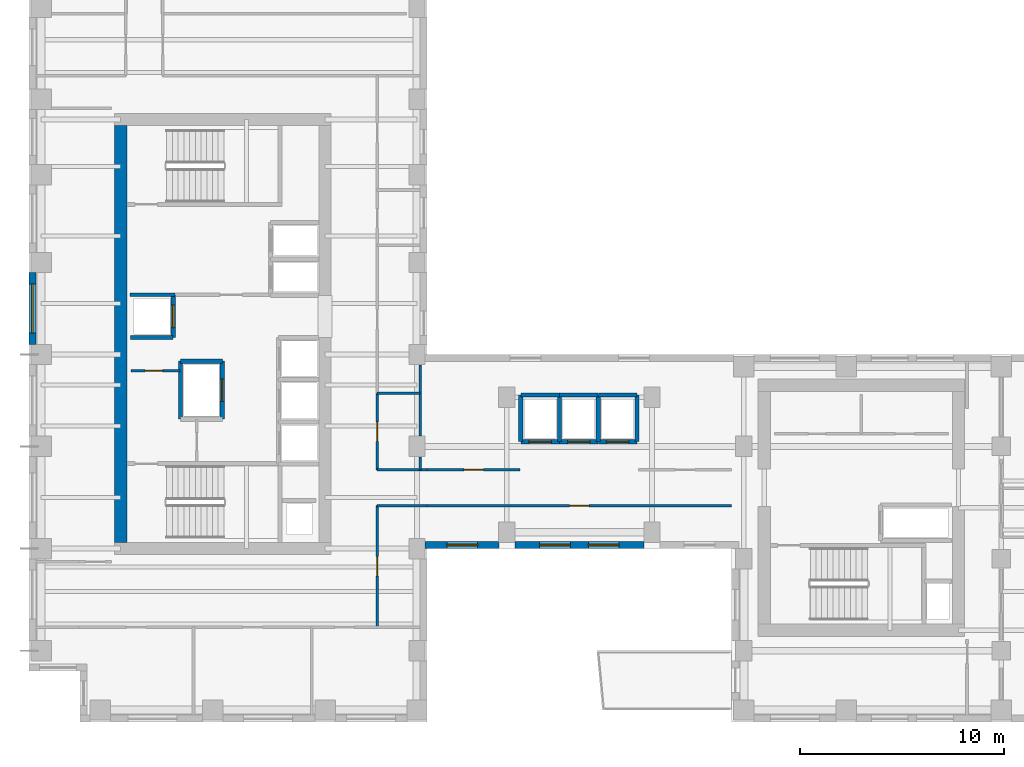
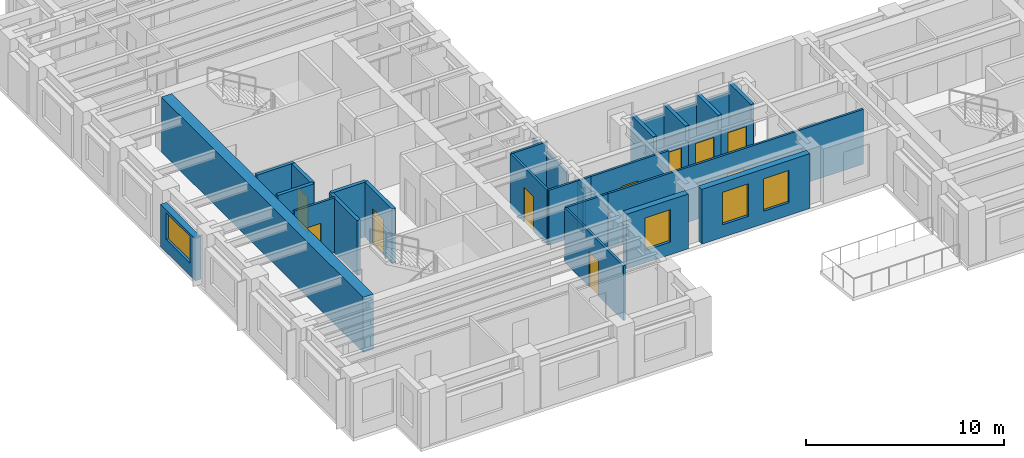
# One storey, part 4 of 11: 30 walls, 10 doors, 4 windows, 14 openings.
"""IFC4 building model written with IfcOpenShell, lengths in metres."""

from ifc_helpers import new_model, si_unit, direction, frame, frame_2d, origin, place, context, subcontext, project, spatial, rectangle, extrude, source, transform, mapped, material, layer, layer_set, type_object, element, fill, save


model = new_model("IFC4")

# Units and contexts
model_context = context("Model", 3, precision=1e-05, world=origin(), true_north=direction((0.0, 1.0)))
body_context = subcontext(model_context, "Body", "Model", "MODEL_VIEW")
ifc_project = project(units=[si_unit("LENGTHUNIT", "METRE"), si_unit("AREAUNIT", "SQUARE_METRE"), si_unit("VOLUMEUNIT", "CUBIC_METRE"), si_unit("PLANEANGLEUNIT", "RADIAN"), si_unit("MASSUNIT", "GRAM", prefix="KILO")], contexts=[model_context])

# Site, building, storey
site_placement = place(None, origin())
site = spatial("IfcSite", under=ifc_project, at=site_placement, CompositionType="ELEMENT")
building_placement = place(site_placement, origin())
building = spatial("IfcBuilding", under=site, at=building_placement, Name="Kharzan Plaza Tower", CompositionType="ELEMENT")
storey_placement = place(building_placement, frame((0.0, 0.0, 193.5)))
storey = spatial("IfcBuildingStorey", under=building, at=storey_placement, Name="L52", CompositionType="ELEMENT", Elevation=193.5)

# Wall, opening, window
ifc_material_1 = material(Name="Concrete C40/50", Category="concrete")
ifc_layer_1 = layer(ifc_material_1, 0.35009765625)
ifc_layer_set_1 = layer_set([ifc_layer_1], Name="Concrete C40/50")
wall_type_1 = type_object("IfcWallType", Name="WL-EXT-MAS-Z3", PredefinedType="SOLIDWALL", material=ifc_layer_set_1)
wall_1_placement = place(storey_placement, frame((0.175048828125, 22.001953125, 0.0), z_axis=(0.0, 0.0, 1.0), x_axis=(0.0, -1.0, 0.0)))
wall_1 = element("IfcWall", 1, at=wall_1_placement, inside=storey, type_object=wall_type_1, Name="L52 Masonry-Frame Exterior Wall 14", PredefinedType="SOLIDWALL", context=body_context, shape_type="SweptSolid", body=[
    extrude(rectangle(XDim=3.50390625, YDim=0.35009765625, at=frame_2d((1.751953125, 0.0))), origin(), (0.0, 0.0, 1.0), 2.612060546875),
])
opening_1_placement = place(wall_1_placement, frame((0.552001953125, 0.0, 0.780029296875)))
opening_1 = element("IfcOpeningElement", 2, at=opening_1_placement, cuts=wall_1, Name="Opening W2", PredefinedType="OPENING", context=body_context, shape_type="SweptSolid", body=[
    extrude(rectangle(XDim=2.39990234375, YDim=1.652099609375, at=frame_2d((1.199951171875, 0.826171875))), frame((0.0, 0.18505859375, 0.0), z_axis=(0.0, -1.0, 0.0), x_axis=(1.0, 0.0, 0.0)), (0.0, 0.0, 1.0), 0.3701171875),
])
ifc_material_2 = material(Name="Low-E Double Glazing", Category="glass")
window_type_1 = type_object("IfcWindowType", Name="WN-REC-2400x2100", PartitioningType="SINGLE_PANEL", PredefinedType="WINDOW", material=ifc_material_2)
shared_shape_1 = source(origin(), body_context, "Body", "SweptSolid", [
    extrude(rectangle(XDim=2.39990234375, YDim=1.652099609375, at=frame_2d((1.199951171875, 0.826171875))), frame((0.0, 0.030029296875, 0.0), z_axis=(0.0, -1.0, 0.0), x_axis=(1.0, 0.0, 0.0)), (0.0, 0.0, 1.0), 0.06005859375),
])
window_1_placement = place(opening_1_placement, origin())
window_1 = element("IfcWindow", 3, at=window_1_placement, inside=storey, type_object=window_type_1, Name="L52 Wide Recessed Solar-Control Window 14-1", OverallHeight=1.652099609375, OverallWidth=2.39990234375, PartitioningType="SINGLE_PANEL", PredefinedType="WINDOW", context=body_context, shape_type="MappedRepresentation", body=[
    mapped(shared_shape_1, transform((0.0, 0.0, 0.0), x_axis=(1.0, 0.0, 0.0), y_axis=(0.0, 1.0, 0.0), z_axis=(0.0, 0.0, 1.0))),
])
fill(opening_1, window_1)

wall_2_placement = place(storey_placement, frame((19.39794921875, 8.675048828125, 0.0), z_axis=(0.0, 0.0, 1.0), x_axis=(1.0, 0.0, 0.0)))
wall_2 = element("IfcWall", 4, at=wall_2_placement, inside=storey, type_object=wall_type_1, Name="L52 Masonry-Frame Exterior Wall 26", PredefinedType="SOLIDWALL", context=body_context, shape_type="SweptSolid", body=[
    extrude(rectangle(XDim=3.60400390625, YDim=0.35009765625, at=frame_2d((1.802001953125, 0.0))), origin(), (0.0, 0.0, 1.0), 3.385009765625),
])
opening_2_placement = place(wall_2_placement, frame((1.067138671875, 0.0, 0.780029296875)))
opening_2 = element("IfcOpeningElement", 5, at=opening_2_placement, cuts=wall_2, Name="Opening W5", PredefinedType="OPENING", context=body_context, shape_type="SweptSolid", body=[
    extrude(rectangle(XDim=1.5, YDim=2.0, at=frame_2d((0.75, 1.0))), frame((0.0, 0.18505859375, 0.0), z_axis=(0.0, -1.0, 0.0), x_axis=(1.0, 0.0, 0.0)), (0.0, 0.0, 1.0), 0.3701171875),
])
window_type_2 = type_object("IfcWindowType", Name="WN-SLT-1500x2000", PartitioningType="SINGLE_PANEL", PredefinedType="WINDOW", material=ifc_material_2)
shared_shape_2 = source(origin(), body_context, "Body", "SweptSolid", [
    extrude(rectangle(XDim=1.5, YDim=2.0, at=frame_2d((0.75, 1.0))), frame((0.0, 0.030029296875, 0.0), z_axis=(0.0, -1.0, 0.0), x_axis=(1.0, 0.0, 0.0)), (0.0, 0.0, 1.0), 0.06005859375),
])
window_2_placement = place(opening_2_placement, origin())
window_2 = element("IfcWindow", 6, at=window_2_placement, inside=storey, type_object=window_type_2, Name="L52 Recessed Solar-Control Window 26-1", OverallHeight=2.0, OverallWidth=1.5, PartitioningType="SINGLE_PANEL", PredefinedType="WINDOW", context=body_context, shape_type="MappedRepresentation", body=[
    mapped(shared_shape_2, transform((0.0, 0.0, 0.0), x_axis=(1.0, 0.0, 0.0), y_axis=(0.0, 1.0, 0.0), z_axis=(0.0, 0.0, 1.0))),
])
fill(opening_2, window_2)

# Wall, openings, windows
wall_3_placement = place(storey_placement, frame((23.798095703125, 8.675048828125, 0.0), z_axis=(0.0, 0.0, 1.0), x_axis=(1.0, 0.0, 0.0)))
wall_3 = element("IfcWall", 7, at=wall_3_placement, inside=storey, type_object=wall_type_1, Name="L52 Masonry-Frame Exterior Wall 27", PredefinedType="SOLIDWALL", context=body_context, shape_type="SweptSolid", body=[
    extrude(rectangle(XDim=6.303955078125, YDim=0.35009765625, at=frame_2d((3.15185546875, 0.0))), origin(), (0.0, 0.0, 1.0), 3.385009765625),
])
opening_3_placement = place(wall_3_placement, frame((1.2080078125, 0.0, 0.780029296875)))
opening_3 = element("IfcOpeningElement", 8, at=opening_3_placement, cuts=wall_3, Name="Opening W5", PredefinedType="OPENING", context=body_context, shape_type="SweptSolid", body=[
    extrude(rectangle(XDim=1.5, YDim=2.0, at=frame_2d((0.75, 1.0))), frame((0.0, 0.18505859375, 0.0), z_axis=(0.0, -1.0, 0.0), x_axis=(1.0, 0.0, 0.0)), (0.0, 0.0, 1.0), 0.3701171875),
])
opening_4_placement = place(wall_3_placement, frame((3.595947265625, 0.0, 0.780029296875)))
opening_4 = element("IfcOpeningElement", 9, at=opening_4_placement, cuts=wall_3, Name="Opening W5", PredefinedType="OPENING", context=body_context, shape_type="SweptSolid", body=[
    extrude(rectangle(XDim=1.5, YDim=2.0, at=frame_2d((0.75, 1.0))), frame((0.0, 0.18505859375, 0.0), z_axis=(0.0, -1.0, 0.0), x_axis=(1.0, 0.0, 0.0)), (0.0, 0.0, 1.0), 0.3701171875),
])
window_3_placement = place(opening_3_placement, origin())
window_3 = element("IfcWindow", 10, at=window_3_placement, inside=storey, type_object=window_type_2, Name="L52 Recessed Solar-Control Window 27-1", OverallHeight=2.0, OverallWidth=1.5, PartitioningType="SINGLE_PANEL", PredefinedType="WINDOW", context=body_context, shape_type="MappedRepresentation", body=[
    mapped(shared_shape_2, transform((0.0, 0.0, 0.0), x_axis=(1.0, 0.0, 0.0), y_axis=(0.0, 1.0, 0.0), z_axis=(0.0, 0.0, 1.0))),
])
fill(opening_3, window_3)
window_4_placement = place(opening_4_placement, origin())
window_4 = element("IfcWindow", 11, at=window_4_placement, inside=storey, type_object=window_type_2, Name="L52 Recessed Solar-Control Window 27-2", OverallHeight=2.0, OverallWidth=1.5, PartitioningType="SINGLE_PANEL", PredefinedType="WINDOW", context=body_context, shape_type="MappedRepresentation", body=[
    mapped(shared_shape_2, transform((0.0, 0.0, 0.0), x_axis=(1.0, 0.0, 0.0), y_axis=(0.0, 1.0, 0.0), z_axis=(0.0, 0.0, 1.0))),
])
fill(opening_4, window_4)

# Wall, opening, door
ifc_material_3 = material(Name="Fire-Rated Gypsum Board Partition", Category="gypsum")
ifc_layer_2 = layer(ifc_material_3, 0.125)
ifc_layer_set_2 = layer_set([ifc_layer_2], Name="Fire-Rated Gypsum Board Partition")
wall_type_2 = type_object("IfcWallType", Name="WL-INT-PART-125", PredefinedType="PARTITIONING", material=ifc_layer_set_2)
wall_4_placement = place(storey_placement, frame((5.0, 17.199951171875, 0.0), z_axis=(0.0, 0.0, 1.0), x_axis=(1.0, 0.0, 0.0)))
wall_4 = element("IfcWall", 12, at=wall_4_placement, inside=storey, type_object=wall_type_2, Name="L52 Interior Partition CA-K1N2", PredefinedType="PARTITIONING", context=body_context, shape_type="SweptSolid", body=[
    extrude(rectangle(XDim=2.39990234375, YDim=0.125, at=frame_2d((1.199951171875, 0.0))), origin(), (0.0, 0.0, 1.0), 3.385009765625),
])
opening_5_placement = place(wall_4_placement, frame((0.699951171875, 0.0, 0.0)))
opening_5 = element("IfcOpeningElement", 13, at=opening_5_placement, cuts=wall_4, Name="Opening RD1", PredefinedType="OPENING", context=body_context, shape_type="SweptSolid", body=[
    extrude(rectangle(XDim=0.85009765625, YDim=2.10009765625, at=frame_2d((0.425048828125, 1.050048828125))), frame((0.0, 0.072509765625, 0.0), z_axis=(0.0, -1.0, 0.0), x_axis=(1.0, 0.0, 0.0)), (0.0, 0.0, 1.0), 0.14501953125),
])
ifc_material_4 = material(Name="Powder-Coated Fire-Rated Steel", Category="steel")
door_type_1 = type_object("IfcDoorType", Name="DR-RISER-900", OperationType="NOTDEFINED", PredefinedType="DOOR", material=ifc_material_4)
shared_shape_3 = source(origin(), body_context, "Body", "SweptSolid", [
    extrude(rectangle(XDim=0.85009765625, YDim=2.10009765625, at=frame_2d((0.425048828125, 1.050048828125))), frame((0.0, 0.02490234375, 0.0), z_axis=(0.0, -1.0, 0.0), x_axis=(1.0, 0.0, 0.0)), (0.0, 0.0, 1.0), 0.050048828125),
])
door_1_placement = place(opening_5_placement, origin())
door_1 = element("IfcDoor", 14, at=door_1_placement, inside=storey, type_object=door_type_1, Name="L52 Core Storage Room Door", OperationType="SINGLE_SWING_LEFT", OverallHeight=2.10009765625, OverallWidth=0.85009765625, PredefinedType="DOOR", context=body_context, shape_type="MappedRepresentation", body=[
    mapped(shared_shape_3, transform((0.0, 0.0, 0.0), x_axis=(1.0, 0.0, 0.0), y_axis=(0.0, 1.0, 0.0), z_axis=(0.0, 0.0, 1.0))),
])
fill(opening_5, door_1)

wall_5_placement = place(storey_placement, frame((17.050048828125, 12.35009765625, 0.0), z_axis=(0.0, 0.0, 1.0), x_axis=(0.0, 1.0, 0.0)))
wall_5 = element("IfcWall", 15, at=wall_5_placement, inside=storey, type_object=wall_type_2, Name="L52 Interior Partition SH-AEWN1", PredefinedType="PARTITIONING", context=body_context, shape_type="SweptSolid", body=[
    extrude(rectangle(XDim=3.75, YDim=0.125, at=frame_2d((1.875, 0.0))), origin(), (0.0, 0.0, 1.0), 3.385009765625),
])
opening_6_placement = place(wall_5_placement, frame((1.39990234375, 0.0, 0.0)))
opening_6 = element("IfcOpeningElement", 16, at=opening_6_placement, cuts=wall_5, Name="Opening OD1", PredefinedType="OPENING", context=body_context, shape_type="SweptSolid", body=[
    extrude(rectangle(XDim=0.949951171875, YDim=2.14990234375, at=frame_2d((0.47509765625, 1.074951171875))), frame((0.0, 0.072509765625, 0.0), z_axis=(0.0, -1.0, 0.0), x_axis=(1.0, 0.0, 0.0)), (0.0, 0.0, 1.0), 0.14501953125),
])
ifc_material_5 = material(Name="Acoustic Solid-Core Stained Oak", Category="timber")
door_type_2 = type_object("IfcDoorType", Name="DR-OFF-SINGLE", OperationType="NOTDEFINED", PredefinedType="DOOR", material=ifc_material_5)
shared_shape_4 = source(origin(), body_context, "Body", "SweptSolid", [
    extrude(rectangle(XDim=0.949951171875, YDim=2.14990234375, at=frame_2d((0.47509765625, 1.074951171875))), frame((0.0, 0.02490234375, 0.0), z_axis=(0.0, -1.0, 0.0), x_axis=(1.0, 0.0, 0.0)), (0.0, 0.0, 1.0), 0.050048828125),
])
door_2_placement = place(opening_6_placement, origin())
door_2 = element("IfcDoor", 17, at=door_2_placement, inside=storey, type_object=door_type_2, Name="L52 Slot Collaboration Door", OperationType="SINGLE_SWING_RIGHT", OverallHeight=2.14990234375, OverallWidth=0.949951171875, PredefinedType="DOOR", context=body_context, shape_type="MappedRepresentation", body=[
    mapped(shared_shape_4, transform((0.0, 0.0, 0.0), x_axis=(1.0, 0.0, 0.0), y_axis=(0.0, 1.0, 0.0), z_axis=(0.0, 0.0, 1.0))),
])
fill(opening_6, door_2)

wall_6_placement = place(storey_placement, frame((17.050048828125, 4.64990234375, 0.0), z_axis=(0.0, 0.0, 1.0), x_axis=(0.0, 1.0, 0.0)))
wall_6 = element("IfcWall", 18, at=wall_6_placement, inside=storey, type_object=wall_type_2, Name="L52 Interior Partition SH-AEWS", PredefinedType="PARTITIONING", context=body_context, shape_type="SweptSolid", body=[
    extrude(rectangle(XDim=5.9501953125, YDim=0.125, at=frame_2d((2.97509765625, 0.0))), origin(), (0.0, 0.0, 1.0), 3.385009765625),
])
opening_7_placement = place(wall_6_placement, frame((2.5, 0.0, 0.0)))
opening_7 = element("IfcOpeningElement", 19, at=opening_7_placement, cuts=wall_6, Name="Opening OD1", PredefinedType="OPENING", context=body_context, shape_type="SweptSolid", body=[
    extrude(rectangle(XDim=0.949951171875, YDim=2.14990234375, at=frame_2d((0.47509765625, 1.074951171875))), frame((0.0, 0.072509765625, 0.0), z_axis=(0.0, -1.0, 0.0), x_axis=(1.0, 0.0, 0.0)), (0.0, 0.0, 1.0), 0.14501953125),
])
door_3_placement = place(opening_7_placement, origin())
door_3 = element("IfcDoor", 20, at=door_3_placement, inside=storey, type_object=door_type_2, Name="L52 Slot South Office Door", OperationType="SINGLE_SWING_LEFT", OverallHeight=2.14990234375, OverallWidth=0.949951171875, PredefinedType="DOOR", context=body_context, shape_type="MappedRepresentation", body=[
    mapped(shared_shape_4, transform((0.0, 0.0, 0.0), x_axis=(1.0, 0.0, 0.0), y_axis=(0.0, 1.0, 0.0), z_axis=(0.0, 0.0, 1.0))),
])
fill(opening_7, door_3)

wall_7_placement = place(storey_placement, frame((19.5, 12.35009765625, 0.0), z_axis=(0.0, 0.0, 1.0), x_axis=(1.0, 0.0, 0.0)))
wall_7 = element("IfcWall", 21, at=wall_7_placement, inside=storey, type_object=wall_type_2, Name="L52 Interior Partition SH-SPNW1", PredefinedType="PARTITIONING", context=body_context, shape_type="SweptSolid", body=[
    extrude(rectangle(XDim=4.550048828125, YDim=0.125, at=frame_2d((2.27490234375, 0.0))), origin(), (0.0, 0.0, 1.0), 3.385009765625),
])
opening_8_placement = place(wall_7_placement, frame((1.800048828125, 0.0, 0.0)))
opening_8 = element("IfcOpeningElement", 22, at=opening_8_placement, cuts=wall_7, Name="Opening OD1", PredefinedType="OPENING", context=body_context, shape_type="SweptSolid", body=[
    extrude(rectangle(XDim=0.949951171875, YDim=2.14990234375, at=frame_2d((0.47509765625, 1.074951171875))), frame((0.0, 0.072509765625, 0.0), z_axis=(0.0, -1.0, 0.0), x_axis=(1.0, 0.0, 0.0)), (0.0, 0.0, 1.0), 0.14501953125),
])
door_4_placement = place(opening_8_placement, origin())
door_4 = element("IfcDoor", 23, at=door_4_placement, inside=storey, type_object=door_type_2, Name="L52 North-West Spine Door", OperationType="SINGLE_SWING_LEFT", OverallHeight=2.14990234375, OverallWidth=0.949951171875, PredefinedType="DOOR", context=body_context, shape_type="MappedRepresentation", body=[
    mapped(shared_shape_4, transform((0.0, 0.0, 0.0), x_axis=(1.0, 0.0, 0.0), y_axis=(0.0, 1.0, 0.0), z_axis=(0.0, 0.0, 1.0))),
])
fill(opening_8, door_4)

wall_8_placement = place(storey_placement, frame((19.5, 10.60009765625, 0.0), z_axis=(0.0, 0.0, 1.0), x_axis=(1.0, 0.0, 0.0)))
wall_8 = element("IfcWall", 24, at=wall_8_placement, inside=storey, type_object=wall_type_2, Name="L52 Interior Partition SH-SPS1", PredefinedType="PARTITIONING", context=body_context, shape_type="SweptSolid", body=[
    extrude(rectangle(XDim=14.89990234375, YDim=0.125, at=frame_2d((7.449951171875, 0.0))), origin(), (0.0, 0.0, 1.0), 3.385009765625),
])
opening_9_placement = place(wall_8_placement, frame((6.97509765625, 0.0, 0.0)))
opening_9 = element("IfcOpeningElement", 25, at=opening_9_placement, cuts=wall_8, Name="Opening OD1", PredefinedType="OPENING", context=body_context, shape_type="SweptSolid", body=[
    extrude(rectangle(XDim=0.949951171875, YDim=2.14990234375, at=frame_2d((0.47509765625, 1.074951171875))), frame((0.0, 0.072509765625, 0.0), z_axis=(0.0, -1.0, 0.0), x_axis=(1.0, 0.0, 0.0)), (0.0, 0.0, 1.0), 0.14501953125),
])
door_5_placement = place(opening_9_placement, origin())
door_5 = element("IfcDoor", 26, at=door_5_placement, inside=storey, type_object=door_type_2, Name="L52 South Spine Studio Door", OperationType="SINGLE_SWING_RIGHT", OverallHeight=2.14990234375, OverallWidth=0.949951171875, PredefinedType="DOOR", context=body_context, shape_type="MappedRepresentation", body=[
    mapped(shared_shape_4, transform((0.0, 0.0, 0.0), x_axis=(1.0, 0.0, 0.0), y_axis=(0.0, 1.0, 0.0), z_axis=(0.0, 0.0, 1.0))),
])
fill(opening_9, door_5)

ifc_layer_3 = layer(ifc_material_1, 0.199951171875)
ifc_layer_set_3 = layer_set([ifc_layer_3], Name="Concrete C40/50")
wall_type_3 = type_object("IfcWallType", Name="WL-INT-SHAFT-200", PredefinedType="PARTITIONING", material=ifc_layer_set_3)
wall_9_placement = place(storey_placement, frame((7.070068359375, 18.840087890625, 0.0), z_axis=(0.0, 0.0, 1.0), x_axis=(0.0, 1.0, 0.0)))
wall_9 = element("IfcWall", 27, at=wall_9_placement, inside=storey, type_object=wall_type_3, Name="L52 Interior Partition SHF-PL-H4-E", PredefinedType="PARTITIONING", context=body_context, shape_type="SweptSolid", body=[
    extrude(rectangle(XDim=2.059814453125, YDim=0.199951171875, at=frame_2d((1.02978515625, 0.0))), origin(), (0.0, 0.0, 1.0), 3.385009765625),
])
opening_10_placement = place(wall_9_placement, frame((0.47998046875, 0.0, 0.0)))
opening_10 = element("IfcOpeningElement", 28, at=opening_10_placement, cuts=wall_9, Name="Opening LD", PredefinedType="OPENING", context=body_context, shape_type="SweptSolid", body=[
    extrude(rectangle(XDim=1.10009765625, YDim=2.199951171875, at=frame_2d((0.550048828125, 1.10009765625))), frame((0.0, 0.10986328125, 0.0), z_axis=(0.0, -1.0, 0.0), x_axis=(1.0, 0.0, 0.0)), (0.0, 0.0, 1.0), 0.219970703125),
])
ifc_material_6 = material(Name="Brushed Stainless Steel", Category="steel")
door_type_3 = type_object("IfcDoorType", Name="DR-LIFT-SLIDE", OperationType="SLIDING_TO_LEFT", PredefinedType="DOOR", material=ifc_material_6)
shared_shape_5 = source(origin(), body_context, "Body", "SweptSolid", [
    extrude(rectangle(XDim=1.10009765625, YDim=2.199951171875, at=frame_2d((0.550048828125, 1.10009765625))), frame((0.0, 0.02490234375, 0.0), z_axis=(0.0, -1.0, 0.0), x_axis=(1.0, 0.0, 0.0)), (0.0, 0.0, 1.0), 0.050048828125),
])
door_6_placement = place(opening_10_placement, origin())
door_6 = element("IfcDoor", 29, at=door_6_placement, inside=storey, type_object=door_type_3, Name="L52 High-Rise Passenger Lift PL-H4 Sliding Landing Door", OperationType="SLIDING_TO_LEFT", OverallHeight=2.199951171875, OverallWidth=1.10009765625, PredefinedType="DOOR", context=body_context, shape_type="MappedRepresentation", body=[
    mapped(shared_shape_5, transform((0.0, 0.0, 0.0), x_axis=(1.0, 0.0, 0.0), y_axis=(0.0, 1.0, 0.0), z_axis=(0.0, 0.0, 1.0))),
])
fill(opening_10, door_6)

wall_10_placement = place(storey_placement, frame((24.080078125, 13.72998046875, 0.0), z_axis=(0.0, 0.0, 1.0), x_axis=(1.0, 0.0, 0.0)))
wall_10 = element("IfcWall", 30, at=wall_10_placement, inside=storey, type_object=wall_type_3, Name="L52 Interior Partition SHF-PL-M1-S", PredefinedType="PARTITIONING", context=body_context, shape_type="SweptSolid", body=[
    extrude(rectangle(XDim=1.889892578125, YDim=0.199951171875, at=frame_2d((0.94482421875, 0.0))), origin(), (0.0, 0.0, 1.0), 2.466064453125),
])
opening_11_placement = place(wall_10_placement, frame((0.39501953125, 0.0, 0.0)))
opening_11 = element("IfcOpeningElement", 31, at=opening_11_placement, cuts=wall_10, Name="Opening LD", PredefinedType="OPENING", context=body_context, shape_type="SweptSolid", body=[
    extrude(rectangle(XDim=1.10009765625, YDim=2.199951171875, at=frame_2d((0.550048828125, 1.10009765625))), frame((0.0, 0.10986328125, 0.0), z_axis=(0.0, -1.0, 0.0), x_axis=(1.0, 0.0, 0.0)), (0.0, 0.0, 1.0), 0.219970703125),
])
door_7_placement = place(opening_11_placement, origin())
door_7 = element("IfcDoor", 32, at=door_7_placement, inside=storey, type_object=door_type_3, Name="L52 Mid-Rise Passenger Lift PL-M1 Sliding Landing Door", OperationType="SLIDING_TO_LEFT", OverallHeight=2.199951171875, OverallWidth=1.10009765625, PredefinedType="DOOR", context=body_context, shape_type="MappedRepresentation", body=[
    mapped(shared_shape_5, transform((0.0, 0.0, 0.0), x_axis=(1.0, 0.0, 0.0), y_axis=(0.0, 1.0, 0.0), z_axis=(0.0, 0.0, 1.0))),
])
fill(opening_11, door_7)

wall_11_placement = place(storey_placement, frame((25.97998046875, 13.72998046875, 0.0), z_axis=(0.0, 0.0, 1.0), x_axis=(1.0, 0.0, 0.0)))
wall_11 = element("IfcWall", 33, at=wall_11_placement, inside=storey, type_object=wall_type_3, Name="L52 Interior Partition SHF-PL-M2-S", PredefinedType="PARTITIONING", context=body_context, shape_type="SweptSolid", body=[
    extrude(rectangle(XDim=1.89013671875, YDim=0.199951171875, at=frame_2d((0.945068359375, 0.0))), origin(), (0.0, 0.0, 1.0), 2.466064453125),
])
opening_12_placement = place(wall_11_placement, frame((0.39501953125, 0.0, 0.0)))
opening_12 = element("IfcOpeningElement", 34, at=opening_12_placement, cuts=wall_11, Name="Opening LD", PredefinedType="OPENING", context=body_context, shape_type="SweptSolid", body=[
    extrude(rectangle(XDim=1.10009765625, YDim=2.199951171875, at=frame_2d((0.550048828125, 1.10009765625))), frame((0.0, 0.10986328125, 0.0), z_axis=(0.0, -1.0, 0.0), x_axis=(1.0, 0.0, 0.0)), (0.0, 0.0, 1.0), 0.219970703125),
])
door_8_placement = place(opening_12_placement, origin())
door_8 = element("IfcDoor", 35, at=door_8_placement, inside=storey, type_object=door_type_3, Name="L52 Mid-Rise Passenger Lift PL-M2 Sliding Landing Door", OperationType="SLIDING_TO_LEFT", OverallHeight=2.199951171875, OverallWidth=1.10009765625, PredefinedType="DOOR", context=body_context, shape_type="MappedRepresentation", body=[
    mapped(shared_shape_5, transform((0.0, 0.0, 0.0), x_axis=(1.0, 0.0, 0.0), y_axis=(0.0, 1.0, 0.0), z_axis=(0.0, 0.0, 1.0))),
])
fill(opening_12, door_8)

wall_12_placement = place(storey_placement, frame((27.8798828125, 13.72998046875, 0.0), z_axis=(0.0, 0.0, 1.0), x_axis=(1.0, 0.0, 0.0)))
wall_12 = element("IfcWall", 36, at=wall_12_placement, inside=storey, type_object=wall_type_3, Name="L52 Interior Partition SHF-PL-M3-S", PredefinedType="PARTITIONING", context=body_context, shape_type="SweptSolid", body=[
    extrude(rectangle(XDim=1.89013671875, YDim=0.199951171875, at=frame_2d((0.945068359375, 0.0))), origin(), (0.0, 0.0, 1.0), 2.466064453125),
])
opening_13_placement = place(wall_12_placement, frame((0.39501953125, 0.0, 0.0)))
opening_13 = element("IfcOpeningElement", 37, at=opening_13_placement, cuts=wall_12, Name="Opening LD", PredefinedType="OPENING", context=body_context, shape_type="SweptSolid", body=[
    extrude(rectangle(XDim=1.10009765625, YDim=2.199951171875, at=frame_2d((0.550048828125, 1.10009765625))), frame((0.0, 0.10986328125, 0.0), z_axis=(0.0, -1.0, 0.0), x_axis=(1.0, 0.0, 0.0)), (0.0, 0.0, 1.0), 0.219970703125),
])
door_9_placement = place(opening_13_placement, origin())
door_9 = element("IfcDoor", 38, at=door_9_placement, inside=storey, type_object=door_type_3, Name="L52 Mid-Rise Passenger Lift PL-M3 Sliding Landing Door", OperationType="SLIDING_TO_LEFT", OverallHeight=2.199951171875, OverallWidth=1.10009765625, PredefinedType="DOOR", context=body_context, shape_type="MappedRepresentation", body=[
    mapped(shared_shape_5, transform((0.0, 0.0, 0.0), x_axis=(1.0, 0.0, 0.0), y_axis=(0.0, 1.0, 0.0), z_axis=(0.0, 0.0, 1.0))),
])
fill(opening_13, door_9)

wall_13_placement = place(storey_placement, frame((9.469970703125, 14.830078125, 0.0), z_axis=(0.0, 0.0, 1.0), x_axis=(0.0, 1.0, 0.0)))
wall_13 = element("IfcWall", 39, at=wall_13_placement, inside=storey, type_object=wall_type_3, Name="L52 Interior Partition SHF-SVL-1-E", PredefinedType="PARTITIONING", context=body_context, shape_type="SweptSolid", body=[
    extrude(rectangle(XDim=2.83984375, YDim=0.199951171875, at=frame_2d((1.419921875, 0.0))), origin(), (0.0, 0.0, 1.0), 3.385009765625),
])
opening_14_placement = place(wall_13_placement, frame((0.8701171875, 0.0, 0.0)))
opening_14 = element("IfcOpeningElement", 40, at=opening_14_placement, cuts=wall_13, Name="Opening LD", PredefinedType="OPENING", context=body_context, shape_type="SweptSolid", body=[
    extrude(rectangle(XDim=1.10009765625, YDim=2.199951171875, at=frame_2d((0.550048828125, 1.10009765625))), frame((0.0, 0.10986328125, 0.0), z_axis=(0.0, -1.0, 0.0), x_axis=(1.0, 0.0, 0.0)), (0.0, 0.0, 1.0), 0.219970703125),
])
door_10_placement = place(opening_14_placement, origin())
door_10 = element("IfcDoor", 41, at=door_10_placement, inside=storey, type_object=door_type_3, Name="L52 Service Lift SVL-1 Sliding Landing Door", OperationType="SLIDING_TO_LEFT", OverallHeight=2.199951171875, OverallWidth=1.10009765625, PredefinedType="DOOR", context=body_context, shape_type="MappedRepresentation", body=[
    mapped(shared_shape_5, transform((0.0, 0.0, 0.0), x_axis=(1.0, 0.0, 0.0), y_axis=(0.0, 1.0, 0.0), z_axis=(0.0, 0.0, 1.0))),
])
fill(opening_14, door_10)

# Walls
ifc_material_7 = material(Name="Concrete C50/60", Category="concrete")
ifc_layer_4 = layer(ifc_material_7, 0.60009765625)
ifc_layer_set_4 = layer_set([ifc_layer_4], Name="Concrete C50/60")
wall_type_4 = type_object("IfcWallType", Name="WL-CORE-600", PredefinedType="SHEAR", material=ifc_layer_set_4)
shared_shape_6 = source(origin(), body_context, "Body", "SweptSolid", [
    extrude(rectangle(XDim=20.39990234375, YDim=0.60009765625, at=frame_2d((10.199951171875, 0.0))), origin(), (0.0, 0.0, 1.0), 3.39990234375),
])
wall_14_placement = place(storey_placement, frame((4.5, 8.800048828125, 0.0), z_axis=(0.0, 0.0, 1.0), x_axis=(0.0, 1.0, 0.0)))
element("IfcWall", 42, at=wall_14_placement, inside=storey, type_object=wall_type_4, Name="L52 CORE-A west RC shear wall", PredefinedType="SHEAR", context=body_context, shape_type="MappedRepresentation", body=[
    mapped(shared_shape_6, transform((0.0, 0.0, 0.0), x_axis=(1.0, 0.0, 0.0), y_axis=(0.0, 1.0, 0.0), z_axis=(0.0, 0.0, 1.0))),
])
ifc_layer_5 = layer(ifc_material_1, 0.179931640625)
ifc_layer_set_5 = layer_set([ifc_layer_5], Name="Concrete C40/50")
wall_type_5 = type_object("IfcWallType", Name="WL-INT-FIRE-180", PredefinedType="PARTITIONING", material=ifc_layer_set_5)
shared_shape_7 = source(origin(), body_context, "Body", "SweptSolid", [
    extrude(rectangle(XDim=2.199951171875, YDim=0.179931640625, at=frame_2d((1.10009765625, 0.0))), origin(), (0.0, 0.0, 1.0), 3.385009765625),
])
wall_15_placement = place(storey_placement, frame((4.949951171875, 20.919921875, 0.0), z_axis=(0.0, 0.0, 1.0), x_axis=(1.0, 0.0, 0.0)))
element("IfcWall", 43, at=wall_15_placement, inside=storey, type_object=wall_type_5, Name="L52 Interior Partition CA-FF-SW", PredefinedType="PARTITIONING", context=body_context, shape_type="MappedRepresentation", body=[
    mapped(shared_shape_7, transform((0.0, 0.0, 0.0), x_axis=(1.0, 0.0, 0.0), y_axis=(0.0, 1.0, 0.0), z_axis=(0.0, 0.0, 1.0))),
])
shared_shape_8 = source(origin(), body_context, "Body", "SweptSolid", [
    extrude(rectangle(XDim=2.099853515625, YDim=0.125, at=frame_2d((1.0498046875, 0.0))), origin(), (0.0, 0.0, 1.0), 3.385009765625),
])
wall_16_placement = place(storey_placement, frame((17.050048828125, 16.10009765625, 0.0), z_axis=(0.0, 0.0, 1.0), x_axis=(1.0, 0.0, 0.0)))
element("IfcWall", 44, at=wall_16_placement, inside=storey, type_object=wall_type_2, Name="L52 Interior Partition SH-AEH-161", PredefinedType="PARTITIONING", context=body_context, shape_type="MappedRepresentation", body=[
    mapped(shared_shape_8, transform((0.0, 0.0, 0.0), x_axis=(1.0, 0.0, 0.0), y_axis=(0.0, 1.0, 0.0), z_axis=(0.0, 0.0, 1.0))),
])
shared_shape_9 = source(origin(), body_context, "Body", "SweptSolid", [
    extrude(rectangle(XDim=0.6298828125, YDim=0.125, at=frame_2d((0.31494140625, 0.0))), origin(), (0.0, 0.0, 1.0), 2.77294921875),
])
wall_17_placement = place(storey_placement, frame((19.14990234375, 12.35009765625, 0.0), z_axis=(0.0, 0.0, 1.0), x_axis=(0.0, 1.0, 0.0)))
element("IfcWall", 45, at=wall_17_placement, inside=storey, type_object=wall_type_2, Name="L52 Interior Partition SH-AEN-DIV-S1", PredefinedType="PARTITIONING", context=body_context, shape_type="MappedRepresentation", body=[
    mapped(shared_shape_9, transform((0.0, 0.0, 0.0), x_axis=(1.0, 0.0, 0.0), y_axis=(0.0, 1.0, 0.0), z_axis=(0.0, 0.0, 1.0))),
])
shared_shape_10 = source(origin(), body_context, "Body", "SweptSolid", [
    extrude(rectangle(XDim=3.4599609375, YDim=0.125, at=frame_2d((1.72998046875, 0.0))), origin(), (0.0, 0.0, 1.0), 2.77294921875),
])
wall_18_placement = place(storey_placement, frame((19.14990234375, 14.02001953125, 0.0), z_axis=(0.0, 0.0, 1.0), x_axis=(0.0, 1.0, 0.0)))
element("IfcWall", 46, at=wall_18_placement, inside=storey, type_object=wall_type_2, Name="L52 Interior Partition SH-AEN-DIV-S2", PredefinedType="PARTITIONING", context=body_context, shape_type="MappedRepresentation", body=[
    mapped(shared_shape_10, transform((0.0, 0.0, 0.0), x_axis=(1.0, 0.0, 0.0), y_axis=(0.0, 1.0, 0.0), z_axis=(0.0, 0.0, 1.0))),
])
shared_shape_11 = source(origin(), body_context, "Body", "SweptSolid", [
    extrude(rectangle(XDim=2.449951171875, YDim=0.125, at=frame_2d((1.22509765625, 0.0))), origin(), (0.0, 0.0, 1.0), 3.385009765625),
])
for number, where, z_axis, x_axis, name in (
    (47, (17.050048828125, 12.35009765625, 0.0), (0.0, 0.0, 1.0), (1.0, 0.0, 0.0), "L52 Interior Partition SH-SPNW0"),
    (48, (17.050048828125, 10.60009765625, 0.0), (0.0, 0.0, 1.0), (1.0, 0.0, 0.0), "L52 Interior Partition SH-SPS0"),
):
    element("IfcWall", number, at=place(storey_placement, frame(where, z_axis=z_axis, x_axis=x_axis)), inside=storey, type_object=wall_type_2, Name=name, PredefinedType="PARTITIONING", context=body_context, shape_type="MappedRepresentation", body=[
        mapped(shared_shape_11, transform((0.0, 0.0, 0.0), x_axis=(1.0, 0.0, 0.0), y_axis=(0.0, 1.0, 0.0), z_axis=(0.0, 0.0, 1.0))),
    ])
shared_shape_12 = source(origin(), body_context, "Body", "SweptSolid", [
    extrude(rectangle(XDim=2.090087890625, YDim=0.199951171875, at=frame_2d((1.044921875, 0.0))), origin(), (0.0, 0.0, 1.0), 3.385009765625),
])
wall_19_placement = place(storey_placement, frame((4.97998046875, 18.840087890625, 0.0), z_axis=(0.0, 0.0, 1.0), x_axis=(1.0, 0.0, 0.0)))
element("IfcWall", 49, at=wall_19_placement, inside=storey, type_object=wall_type_3, Name="L52 Interior Partition SHF-PL-H4-S", PredefinedType="PARTITIONING", context=body_context, shape_type="MappedRepresentation", body=[
    mapped(shared_shape_12, transform((0.0, 0.0, 0.0), x_axis=(1.0, 0.0, 0.0), y_axis=(0.0, 1.0, 0.0), z_axis=(0.0, 0.0, 1.0))),
])
shared_shape_13 = source(origin(), body_context, "Body", "SweptSolid", [
    extrude(rectangle(XDim=2.2900390625, YDim=0.199951171875, at=frame_2d((1.14501953125, 0.0))), origin(), (0.0, 0.0, 1.0), 3.385009765625),
])
for number, where, z_axis, x_axis, name in (
    (50, (25.969970703125, 13.72998046875, 0.0), (0.0, 0.0, 1.0), (0.0, 1.0, 0.0), "L52 Interior Partition SHF-PL-M1-E"),
    (51, (24.080078125, 13.72998046875, 0.0), (0.0, 0.0, 1.0), (0.0, 1.0, 0.0), "L52 Interior Partition SHF-PL-M1-W"),
    (52, (27.8701171875, 13.72998046875, 0.0), (0.0, 0.0, 1.0), (0.0, 1.0, 0.0), "L52 Interior Partition SHF-PL-M2-E"),
    (53, (29.77001953125, 13.72998046875, 0.0), (0.0, 0.0, 1.0), (0.0, 1.0, 0.0), "L52 Interior Partition SHF-PL-M3-E"),
):
    element("IfcWall", number, at=place(storey_placement, frame(where, z_axis=z_axis, x_axis=x_axis)), inside=storey, type_object=wall_type_3, Name=name, PredefinedType="PARTITIONING", context=body_context, shape_type="MappedRepresentation", body=[
        mapped(shared_shape_13, transform((0.0, 0.0, 0.0), x_axis=(1.0, 0.0, 0.0), y_axis=(0.0, 1.0, 0.0), z_axis=(0.0, 0.0, 1.0))),
    ])
shared_shape_14 = source(origin(), body_context, "Body", "SweptSolid", [
    extrude(rectangle(XDim=1.889892578125, YDim=0.199951171875, at=frame_2d((0.94482421875, 0.0))), origin(), (0.0, 0.0, 1.0), 2.77294921875),
])
wall_20_placement = place(storey_placement, frame((24.080078125, 16.02001953125, 0.0), z_axis=(0.0, 0.0, 1.0), x_axis=(1.0, 0.0, 0.0)))
element("IfcWall", 54, at=wall_20_placement, inside=storey, type_object=wall_type_3, Name="L52 Interior Partition SHF-PL-M1-N", PredefinedType="PARTITIONING", context=body_context, shape_type="MappedRepresentation", body=[
    mapped(shared_shape_14, transform((0.0, 0.0, 0.0), x_axis=(1.0, 0.0, 0.0), y_axis=(0.0, 1.0, 0.0), z_axis=(0.0, 0.0, 1.0))),
])
shared_shape_15 = source(origin(), body_context, "Body", "SweptSolid", [
    extrude(rectangle(XDim=1.89013671875, YDim=0.199951171875, at=frame_2d((0.945068359375, 0.0))), origin(), (0.0, 0.0, 1.0), 2.77294921875),
])
for number, where, z_axis, x_axis, name in (
    (55, (25.97998046875, 16.02001953125, 0.0), (0.0, 0.0, 1.0), (1.0, 0.0, 0.0), "L52 Interior Partition SHF-PL-M2-N"),
    (56, (27.8798828125, 16.02001953125, 0.0), (0.0, 0.0, 1.0), (1.0, 0.0, 0.0), "L52 Interior Partition SHF-PL-M3-N"),
):
    element("IfcWall", number, at=place(storey_placement, frame(where, z_axis=z_axis, x_axis=x_axis)), inside=storey, type_object=wall_type_3, Name=name, PredefinedType="PARTITIONING", context=body_context, shape_type="MappedRepresentation", body=[
        mapped(shared_shape_15, transform((0.0, 0.0, 0.0), x_axis=(1.0, 0.0, 0.0), y_axis=(0.0, 1.0, 0.0), z_axis=(0.0, 0.0, 1.0))),
    ])
shared_shape_16 = source(origin(), body_context, "Body", "SweptSolid", [
    extrude(rectangle(XDim=2.0400390625, YDim=0.199951171875, at=frame_2d((1.02001953125, 0.0))), origin(), (0.0, 0.0, 1.0), 3.385009765625),
])
wall_21_placement = place(storey_placement, frame((7.429931640625, 17.669921875, 0.0), z_axis=(0.0, 0.0, 1.0), x_axis=(1.0, 0.0, 0.0)))
element("IfcWall", 57, at=wall_21_placement, inside=storey, type_object=wall_type_3, Name="L52 Interior Partition SHF-SVL-1-N", PredefinedType="PARTITIONING", context=body_context, shape_type="MappedRepresentation", body=[
    mapped(shared_shape_16, transform((0.0, 0.0, 0.0), x_axis=(1.0, 0.0, 0.0), y_axis=(0.0, 1.0, 0.0), z_axis=(0.0, 0.0, 1.0))),
])
shared_shape_17 = source(origin(), body_context, "Body", "SweptSolid", [
    extrude(rectangle(XDim=2.83984375, YDim=0.199951171875, at=frame_2d((1.419921875, 0.0))), origin(), (0.0, 0.0, 1.0), 3.385009765625),
])
wall_22_placement = place(storey_placement, frame((7.429931640625, 14.830078125, 0.0), z_axis=(0.0, 0.0, 1.0), x_axis=(0.0, 1.0, 0.0)))
element("IfcWall", 58, at=wall_22_placement, inside=storey, type_object=wall_type_3, Name="L52 Interior Partition SHF-SVL-1-W", PredefinedType="PARTITIONING", context=body_context, shape_type="MappedRepresentation", body=[
    mapped(shared_shape_17, transform((0.0, 0.0, 0.0), x_axis=(1.0, 0.0, 0.0), y_axis=(0.0, 1.0, 0.0), z_axis=(0.0, 0.0, 1.0))),
])

save(model, "model.ifc")
